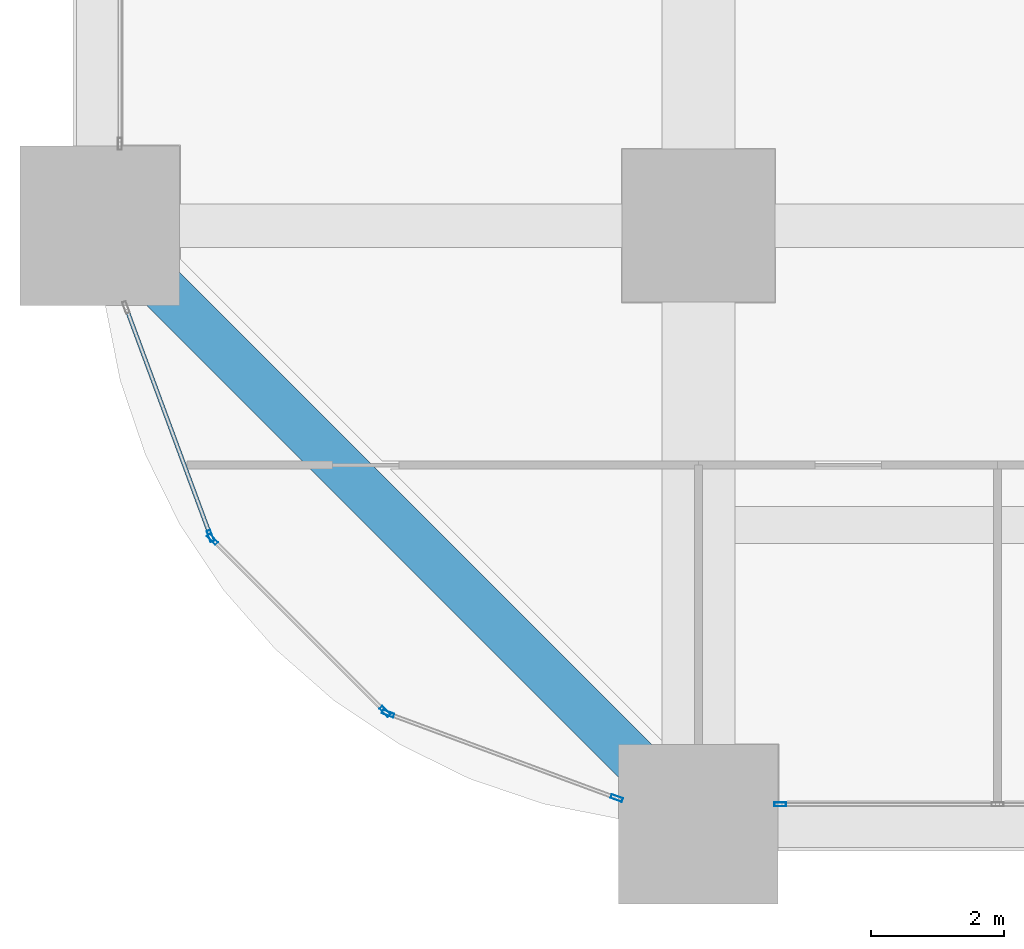
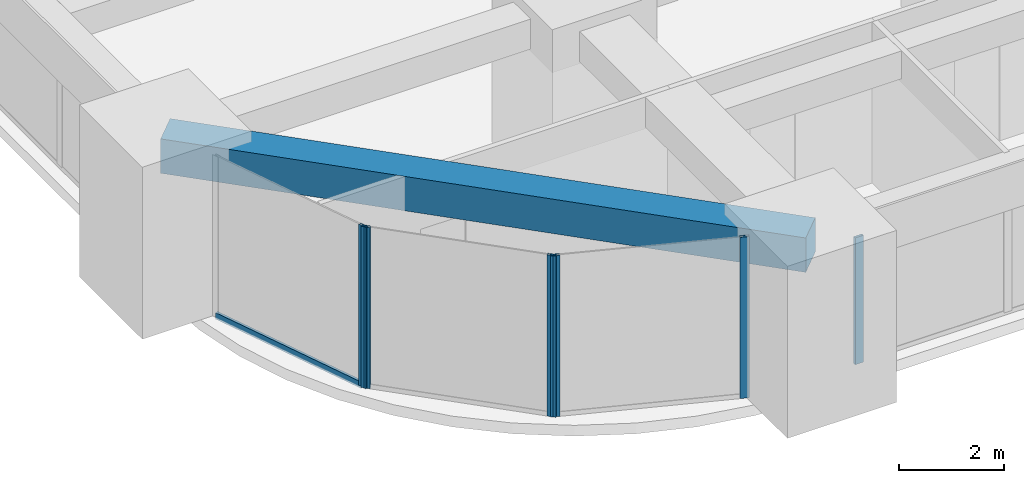
# One storey, part 2 of 45: 7 members, 1 beam, 4 elements without a shape of their own.
"""IFC4 building model written with IfcOpenShell, lengths in metres."""

from ifc_helpers import new_model, si_unit, direction, frame, origin, origin_2d, place, context, subcontext, project, spatial, rectangle, hollow_rectangle, extrude, material, material_profile, profile_set, type_object, element, aggregate, save


model = new_model("IFC4")

# Units and contexts
model_context = context("Model", 3, precision=1e-05, world=origin(), true_north=direction((0.0, 1.0)))
body_context = subcontext(model_context, "Body", "Model", "MODEL_VIEW")
ifc_project = project(units=[si_unit("LENGTHUNIT", "METRE"), si_unit("AREAUNIT", "SQUARE_METRE"), si_unit("VOLUMEUNIT", "CUBIC_METRE"), si_unit("PLANEANGLEUNIT", "RADIAN"), si_unit("MASSUNIT", "GRAM", prefix="KILO")], contexts=[model_context])

# Site, building, storey
site_placement = place(None, origin())
site = spatial("IfcSite", under=ifc_project, at=site_placement, CompositionType="ELEMENT")
building_placement = place(site_placement, origin())
building = spatial("IfcBuilding", under=site, at=building_placement, Name="Zorevar Civic Tower", CompositionType="ELEMENT")
storey_placement = place(building_placement, frame((0.0, 0.0, 39.800048828125)))
storey = spatial("IfcBuildingStorey", under=building, at=storey_placement, Name="L09", CompositionType="ELEMENT", Elevation=39.800048828125)

# Curtain wall, member
ifc_material_1 = material(Name="Dark grey solar-control glass in black aluminium frame", Category="aluminium")
curtain_wall_type = type_object("IfcCurtainWallType", Name="Curtain wall CW2 low zone", PredefinedType="NOTDEFINED", material=ifc_material_1)
curtain_wall_1_placement = place(storey_placement, origin())
curtain_wall_1 = element("IfcCurtainWall", 1, at=curtain_wall_1_placement, inside=storey, type_object=curtain_wall_type, Name="CW2 L09", PredefinedType="NOTDEFINED")
ifc_material_2 = material(Name="Aluminium, black anodised", Category="aluminium")
ifc_material_profile_1 = material_profile(ifc_material_2, hollow_rectangle(XDim=0.06005859375, YDim=0.179931640625, WallThickness=0.00390625, at=origin_2d()), Name="AL 180x60x4")
ifc_profile_set_1 = profile_set([ifc_material_profile_1], Name="Aluminium, black anodised")
member_type_1 = type_object("IfcMemberType", Name="CW2 mullion AL 180x60x4", PredefinedType="MULLION", material=ifc_profile_set_1)
member_1_placement = place(storey_placement, frame((10.22998046875, 0.300048828125, 0.0), z_axis=(0.0, 0.0, 1.0), x_axis=(0.0, 1.0, 0.0)))
member_1 = element("IfcMember", 2, at=member_1_placement, type_object=member_type_1, Name="CW2 mullion 1", PredefinedType="MULLION", context=body_context, shape_type="SweptSolid", body=[
    extrude(hollow_rectangle(XDim=0.06005859375, YDim=0.179931640625, WallThickness=0.00390625, at=origin_2d()), origin(), (0.0, 0.0, 1.0), 2.949951171875),
])
aggregate(curtain_wall_1, [member_1])

curtain_wall_2_placement = place(storey_placement, origin())
curtain_wall_2 = element("IfcCurtainWall", 3, at=curtain_wall_2_placement, inside=storey, type_object=curtain_wall_type, Name="CW2 L09", PredefinedType="NOTDEFINED")
member_2_placement = place(storey_placement, frame((1.663818359375, 4.33544921875, 0.0), z_axis=(0.0, 0.0, 1.0), x_axis=(0.937974588163, 0.346704012033, 0.0)))
member_2 = element("IfcMember", 4, at=member_2_placement, type_object=member_type_1, Name="CW2 mullion 2", PredefinedType="MULLION", context=body_context, shape_type="SweptSolid", body=[
    extrude(hollow_rectangle(XDim=0.06005859375, YDim=0.179931640625, WallThickness=0.00390625, at=origin_2d()), origin(), (0.0, 0.0, 1.0), 3.75),
])

# Curtain wall, members
curtain_wall_3_placement = place(storey_placement, origin())
curtain_wall_3 = element("IfcCurtainWall", 5, at=curtain_wall_3_placement, inside=storey, type_object=curtain_wall_type, Name="CW2 L09", PredefinedType="NOTDEFINED")
member_3_placement = place(storey_placement, frame((1.6953125, 4.2861328125, 0.0), z_axis=(0.0, 0.0, 1.0), x_axis=(0.707106781187, 0.707106781187, 0.0)))
member_3 = element("IfcMember", 6, at=member_3_placement, type_object=member_type_1, Name="CW2 mullion 1", PredefinedType="MULLION", context=body_context, shape_type="SweptSolid", body=[
    extrude(hollow_rectangle(XDim=0.06005859375, YDim=0.179931640625, WallThickness=0.00390625, at=origin_2d()), origin(), (0.0, 0.0, 1.0), 3.75),
])
member_4_placement = place(storey_placement, frame((4.2861328125, 1.6953125, 0.0), z_axis=(0.0, 0.0, 1.0), x_axis=(0.707106781187, 0.707106781187, 0.0)))
member_4 = element("IfcMember", 7, at=member_4_placement, type_object=member_type_1, Name="CW2 mullion 2", PredefinedType="MULLION", context=body_context, shape_type="SweptSolid", body=[
    extrude(hollow_rectangle(XDim=0.06005859375, YDim=0.179931640625, WallThickness=0.00390625, at=origin_2d()), origin(), (0.0, 0.0, 1.0), 3.75),
])
aggregate(curtain_wall_3, [member_3, member_4])

curtain_wall_4_placement = place(storey_placement, origin())
curtain_wall_4 = element("IfcCurtainWall", 8, at=curtain_wall_4_placement, inside=storey, type_object=curtain_wall_type, Name="CW2 L09", PredefinedType="NOTDEFINED")
member_5_placement = place(storey_placement, frame((4.33544921875, 1.663818359375, 0.0), z_axis=(0.0, 0.0, 1.0), x_axis=(0.346704012033, 0.937974588163, 0.0)))
member_5 = element("IfcMember", 9, at=member_5_placement, type_object=member_type_1, Name="CW2 mullion 1", PredefinedType="MULLION", context=body_context, shape_type="SweptSolid", body=[
    extrude(hollow_rectangle(XDim=0.06005859375, YDim=0.179931640625, WallThickness=0.00390625, at=origin_2d()), origin(), (0.0, 0.0, 1.0), 3.75),
])
member_6_placement = place(storey_placement, frame((7.77197265625, 0.3935546875, 0.0), z_axis=(0.0, 0.0, 1.0), x_axis=(0.346704012033, 0.937974588163, 0.0)))
member_6 = element("IfcMember", 10, at=member_6_placement, type_object=member_type_1, Name="CW2 mullion 2", PredefinedType="MULLION", context=body_context, shape_type="SweptSolid", body=[
    extrude(hollow_rectangle(XDim=0.06005859375, YDim=0.179931640625, WallThickness=0.00390625, at=origin_2d()), origin(), (0.0, 0.0, 1.0), 3.75),
])
aggregate(curtain_wall_4, [member_5, member_6])

# Member
ifc_material_3 = material(Name="Aluminium, black anodised", Category="aluminium")
ifc_material_profile_2 = material_profile(ifc_material_3, hollow_rectangle(XDim=0.06005859375, YDim=0.14990234375, WallThickness=0.00390625, at=origin_2d()), Name="AL 150x60x4")
ifc_profile_set_2 = profile_set([ifc_material_profile_2], Name="Aluminium, black anodised")
member_type_2 = type_object("IfcMemberType", Name="CW2 transom AL 150x60x4", PredefinedType="USERDEFINED", material=ifc_profile_set_2)
member_7_placement = place(storey_placement, frame((0.404052734375, 7.74365234375, 0.030029296875), z_axis=(0.346672169799, -0.93798635741, 0.0), x_axis=(0.93798635741, 0.346672169799, 0.0)))
member_7 = element("IfcMember", 11, at=member_7_placement, type_object=member_type_2, Name="CW2 sill transom", ObjectType="TRANSOM", PredefinedType="USERDEFINED", context=body_context, shape_type="SweptSolid", body=[
    extrude(hollow_rectangle(XDim=0.06005859375, YDim=0.14990234375, WallThickness=0.00390625, at=origin_2d()), origin(), (0.0, 0.0, 1.0), 3.603515625),
])

aggregate(curtain_wall_2, [member_2, member_7])

# Beam
ifc_material_4 = material(Name="Concrete C50/60", Category="concrete")
ifc_material_profile_3 = material_profile(ifc_material_4, rectangle(XDim=0.699951171875, YDim=0.800048828125, at=origin_2d()), Name="RC 700x800")
ifc_profile_set_3 = profile_set([ifc_material_profile_3], Name="Concrete C50/60")
beam_type = type_object("IfcBeamType", Name="Edge beam RC 700x800", PredefinedType="SPANDREL", material=ifc_profile_set_3)
beam_placement = place(storey_placement, frame((0.0, 9.0, 3.349853515625), z_axis=(0.707106781187, -0.707106781187, 0.0), x_axis=(0.707106781187, 0.707106781187, 0.0)))
element("IfcBeam", 12, at=beam_placement, inside=storey, type_object=beam_type, Name="Corner edge beam L10", PredefinedType="SPANDREL", context=body_context, shape_type="SweptSolid", body=[
    extrude(rectangle(XDim=0.699951171875, YDim=0.800048828125, at=origin_2d()), origin(), (0.0, 0.0, 1.0), 12.72802734375),
])

save(model, "model.ifc")
